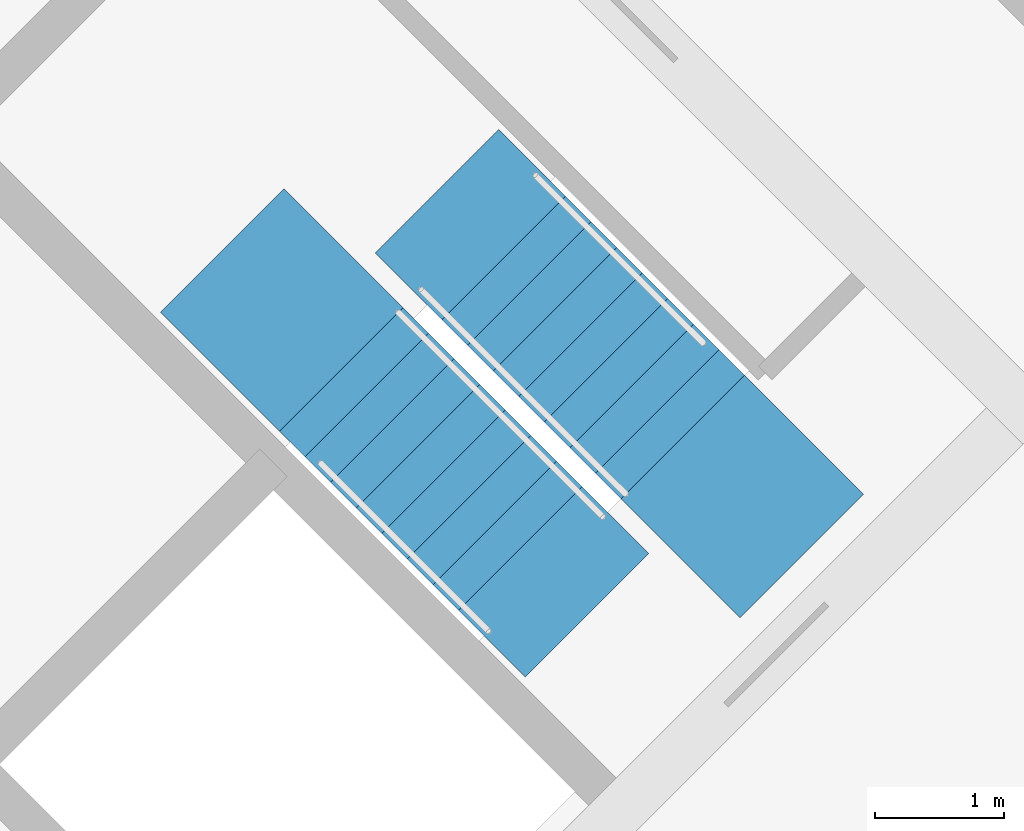
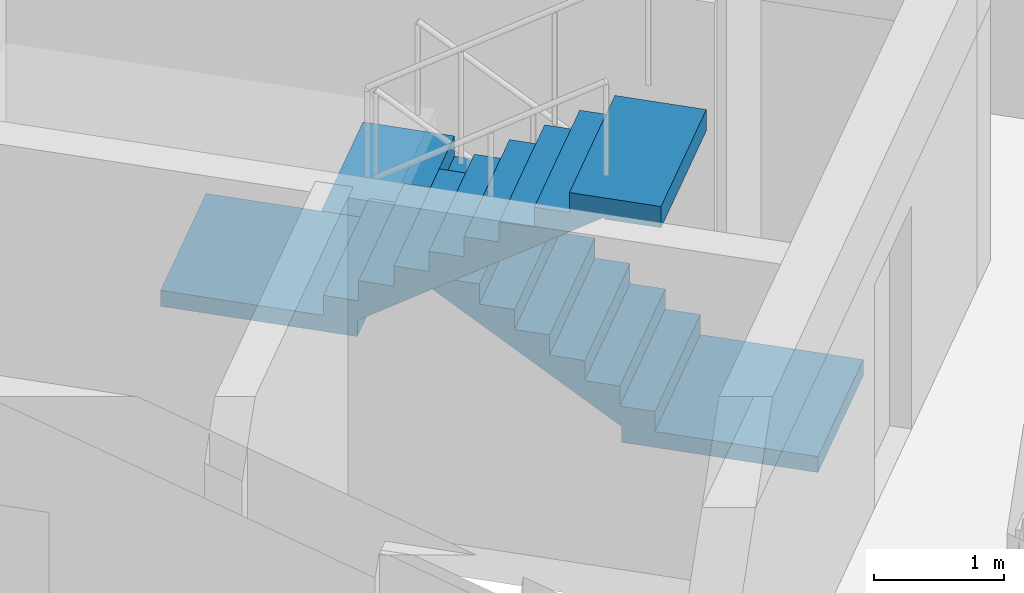
# One storey, part 9 of 12: 2 stair flights, 1 element without a shape of its own.
"""IFC4 building model written with IfcOpenShell, lengths in metres."""

import ifcopenshell
import ifcopenshell.guid

model = None  # the IFC model being written
_history = None  # IfcOwnerHistory: only IFC2X3 demands one
_inside = {}  # id of a spatial element -> (the spatial element, [elements in it])
_under = {}  # id of a project, library or spatial element -> (it, [spatial elements below it])
_declared = {}  # id of a project -> (the project, [libraries it declares])
_typed = {}  # id of a type object -> (the type object, [elements of that type])
_made_of = {}  # id of a material, layer set ... -> (it, [elements and type objects made of it])


def new_model(schema):
    """Start an empty IFC model of exactly this schema.

    Asked for "IFC4X3", IfcOpenShell would pick the latest addendum, in which some entities
    have other attributes; the version numbers below select the first issue.
    IFC2X3 requires an IfcOwnerHistory on every rooted entity: one is made here for all.
    """
    global model, _history
    if schema == "IFC4X3":
        model = ifcopenshell.file(schema_version=(4, 3, 0, 0))
    else:
        model = ifcopenshell.file(schema=schema)
    _inside.clear()
    _under.clear()
    _declared.clear()
    _typed.clear()
    _made_of.clear()
    _history = None
    if model.schema == "IFC2X3":
        org = make("IfcOrganization", Name="unknown")
        user = make(
            "IfcPersonAndOrganization",
            ThePerson=make("IfcPerson", FamilyName="unknown"),
            TheOrganization=org,
        )
        app = make(
            "IfcApplication",
            ApplicationDeveloper=org,
            Version="unknown",
            ApplicationFullName="unknown",
            ApplicationIdentifier="unknown",
        )
        _history = make(
            "IfcOwnerHistory",
            OwningUser=user,
            OwningApplication=app,
            ChangeAction="ADDED",
            CreationDate=0,
        )
    return model


def make(cls, **values):
    """One entity of the class cls with the attributes given. An attribute that is None is left unset."""
    return model.create_entity(
        cls, **{name: value for name, value in values.items() if value is not None}
    )


def rooted(cls, **values):
    """An entity with a GlobalId (a new one), such as an element, a storey or a relation."""
    return make(cls, GlobalId=ifcopenshell.guid.new(), OwnerHistory=_history, **values)


def si_unit(unit_type, name, prefix=None):
    """IfcSIUnit, for example si_unit("LENGTHUNIT", "METRE", prefix="MILLI")."""
    return make("IfcSIUnit", UnitType=unit_type, Prefix=prefix, Name=name)


def assignment(units):
    """IfcUnitAssignment: the units of a project."""
    return None if units is None else make("IfcUnitAssignment", Units=units)


def point(xyz):
    """IfcCartesianPoint."""
    return None if xyz is None else make("IfcCartesianPoint", Coordinates=xyz)


def direction(xyz):
    """IfcDirection."""
    return None if xyz is None else make("IfcDirection", DirectionRatios=xyz)


def frame(location, z_axis=None, x_axis=None):
    """IfcAxis2Placement3D, a coordinate frame: its origin and axes. An axis left out is left unset."""
    return make(
        "IfcAxis2Placement3D",
        Location=point(location),
        Axis=direction(z_axis),
        RefDirection=direction(x_axis),
    )


def origin():
    """The frame at (0, 0, 0) with its axes left unset."""
    return frame((0.0, 0.0, 0.0))


def place(relative_to, where):
    """IfcLocalPlacement: puts the frame where relative to a parent placement (None: the world)."""
    return make(
        "IfcLocalPlacement", PlacementRelTo=relative_to, RelativePlacement=where
    )


def context(
    kind, dimensions, precision=None, world=None, true_north=None, identifier=None
):
    """IfcGeometricRepresentationContext, for example the 3D "Model" context."""
    return make(
        "IfcGeometricRepresentationContext",
        ContextIdentifier=identifier,
        ContextType=kind,
        CoordinateSpaceDimension=dimensions,
        Precision=precision,
        WorldCoordinateSystem=world,
        TrueNorth=true_north,
    )


def subcontext(parent, identifier, kind, view, scale=None):
    """IfcGeometricRepresentationSubContext, for example "Body" below "Model"."""
    return make(
        "IfcGeometricRepresentationSubContext",
        ContextIdentifier=identifier,
        ContextType=kind,
        ParentContext=parent,
        TargetScale=scale,
        TargetView=view,
    )


def project(units=None, contexts=None):
    """IfcProject with its units and contexts."""
    return rooted(
        "IfcProject",
        Name="project",
        RepresentationContexts=contexts,
        UnitsInContext=assignment(units),
    )


def spatial(cls, under=None, at=None, **own):
    """A site, building, storey or space (cls), placed at a placement, below another one or the project."""
    s = rooted(cls, ObjectPlacement=at, **own)
    if under is not None:
        _under.setdefault(under.id(), (under, []))[1].append(s)
    return s


def polyline(points):
    """IfcPolyline through the points."""
    return make("IfcPolyline", Points=[point(p) for p in points])


def outline(outer, holes=None, kind="AREA"):
    """IfcArbitraryClosedProfileDef: a profile drawn as a closed curve; with holes, ...WithVoids."""
    if holes is None:
        return make("IfcArbitraryClosedProfileDef", ProfileType=kind, OuterCurve=outer)
    return make(
        "IfcArbitraryProfileDefWithVoids",
        ProfileType=kind,
        OuterCurve=outer,
        InnerCurves=holes,
    )


def extrude(swept, where, along, depth):
    """IfcExtrudedAreaSolid: the profile swept, set in the frame where, extruded along a direction by depth."""
    return make(
        "IfcExtrudedAreaSolid",
        SweptArea=swept,
        Position=where,
        ExtrudedDirection=direction(along),
        Depth=depth,
    )


def shape(context_of_items, identifier, shape_type, items):
    """IfcShapeRepresentation: the items that make up one representation, for example the "Body"."""
    return make(
        "IfcShapeRepresentation",
        ContextOfItems=context_of_items,
        RepresentationIdentifier=identifier,
        RepresentationType=shape_type,
        Items=items,
    )


def material(Name=None, Category=None):
    """IfcMaterial."""
    return make("IfcMaterial", Name=Name, Category=Category)


def made_of(thing, what):
    """Note that an element or type object is made of a material, layer set ...; save() writes the relation."""
    if what is not None:
        _made_of.setdefault(what.id(), (what, []))[1].append(thing)
    return thing


def type_object(cls, material=None, **own):
    """A type object (cls), such as IfcWallType, which elements share."""
    return made_of(rooted(cls, **own), material)


def element(
    cls,
    number,
    at=None,
    inside=None,
    cuts=None,
    type_object=None,
    material=None,
    context=None,
    identifier="Body",
    shape_type=None,
    held_by="IfcProductDefinitionShape",
    body=None,
    shapes=None,
    **own,
):
    """One element of the class cls, such as IfcWall. Its Tag is "e" and its number.

    at: its placement. inside: the storey or other place that contains it. cuts: it is an
    opening in that element (IfcRelVoidsElement). A single representation is given by context,
    identifier, shape_type and body (its items); several are given by shapes. held_by: the class
    of the entity that holds the representations. save() writes the other relations.
    """
    e = rooted(cls, Tag="e%d" % number, ObjectPlacement=at, **own)
    if body is not None:
        shapes = [shape(context, identifier, shape_type, body)]
    if shapes is not None:
        e.Representation = make(held_by, Representations=shapes)
    if inside is not None:
        _inside.setdefault(inside.id(), (inside, []))[1].append(e)
    if cuts is not None:
        rooted(
            "IfcRelVoidsElement", RelatingBuildingElement=cuts, RelatedOpeningElement=e
        )
    if type_object is not None:
        _typed.setdefault(type_object.id(), (type_object, []))[1].append(e)
    return made_of(e, material)


def aggregate(whole, parts):
    """IfcRelAggregates: a whole, such as a stair, and the parts it consists of."""
    return rooted("IfcRelAggregates", RelatingObject=whole, RelatedObjects=parts)


def save(model, path):
    """Write the relations noted so far, then the file.

    IfcRelAggregates (storeys below a building ...), IfcRelContainedInSpatialStructure (elements
    in a storey), IfcRelDefinesByType, IfcRelAssociatesMaterial and IfcRelDeclares: one each for
    every whole, place, type object, material and project.
    """
    for whole, parts in _under.values():
        aggregate(whole, parts)
    for where, things in _inside.values():
        rooted(
            "IfcRelContainedInSpatialStructure",
            RelatedElements=things,
            RelatingStructure=where,
        )
    for kind, things in _typed.values():
        rooted("IfcRelDefinesByType", RelatedObjects=things, RelatingType=kind)
    for what, things in _made_of.values():
        rooted("IfcRelAssociatesMaterial", RelatedObjects=things, RelatingMaterial=what)
    for by, libraries in _declared.values():
        rooted("IfcRelDeclares", RelatingContext=by, RelatedDefinitions=libraries)
    model.write(path)


model = new_model("IFC4")

# Units and contexts
model_context = context("Model", 3, precision=1e-05, world=origin(), true_north=direction((0.0, 1.0)))
body_context = subcontext(model_context, "Body", "Model", "MODEL_VIEW")
ifc_project = project(units=[si_unit("LENGTHUNIT", "METRE"), si_unit("AREAUNIT", "SQUARE_METRE"), si_unit("VOLUMEUNIT", "CUBIC_METRE"), si_unit("PLANEANGLEUNIT", "RADIAN"), si_unit("MASSUNIT", "GRAM", prefix="KILO")], contexts=[model_context])

# Site, building, storey
site_placement = place(None, origin())
site = spatial("IfcSite", under=ifc_project, at=site_placement, CompositionType="ELEMENT")
building_placement = place(site_placement, origin())
building = spatial("IfcBuilding", under=site, at=building_placement, Name="Windrow Commons", CompositionType="ELEMENT")
storey_placement = place(building_placement, frame((0.0, 0.0, 274.4)))
storey = spatial("IfcBuildingStorey", under=building, at=storey_placement, Name="L75", CompositionType="ELEMENT", Elevation=274.4)

# Stair, stair flights
ifc_material_1 = material(Name="Concrete C40/50", Category="concrete")
stair_type = type_object("IfcStairType", Name="Core stair", PredefinedType="HALF_TURN_STAIR", material=ifc_material_1)
stair_placement = place(storey_placement, origin())
stair = element("IfcStair", 1, at=stair_placement, inside=storey, type_object=stair_type, Name="L75 Exit stair B2 core B", PredefinedType="HALF_TURN_STAIR")
ifc_material_2 = material(Name="Concrete C40/50", Category="concrete")
stair_flight_type = type_object("IfcStairFlightType", Name="Core stair flight", PredefinedType="STRAIGHT", material=ifc_material_2)
stair_flight_1_placement = place(storey_placement, frame((94.6715, 48.8635, 0.0), z_axis=(0.0, 0.0, 1.0), x_axis=(-0.7071067812, 0.7071067812, 0.0)))
stair_flight_1 = element("IfcStairFlight", 2, at=stair_flight_1_placement, type_object=stair_flight_type, Name="ST-B2 flight 1", NumberOfRisers=9, NumberOfTreads=8, PredefinedType="STRAIGHT", RiserHeight=0.188888889, TreadLength=0.28, context=body_context, shape_type="SweptSolid", body=[
    extrude(outline(polyline([(-1.3, -0.15), (-1.3, 0.0), (0.0, 0.0), (0.0, 0.1889), (0.28, 0.1889), (0.28, 0.3778), (0.56, 0.3778), (0.56, 0.5667), (0.84, 0.5667), (0.84, 0.7556), (1.12, 0.7556), (1.12, 0.9444), (1.4, 0.9444), (1.4, 1.1333), (1.68, 1.1333), (1.68, 1.3222), (1.96, 1.3222), (1.96, 1.5111), (2.24, 1.5111), (2.69, 1.5111), (2.69, 1.3111), (2.24, 1.3111), (2.24, 1.3302), (0.2682, 0.0), (0.2682, -0.15), (-1.3, -0.15)])), frame((0.0, 0.675, 0.0), z_axis=(0.0, -1.0, 0.0), x_axis=(1.0, 0.0, 0.0)), (0.0, 0.0, 1.0), 1.35),
])
stair_flight_2_placement = place(storey_placement, frame((92.0269, 49.3867, 1.7), z_axis=(0.0, 0.0, 1.0), x_axis=(0.7071067812, -0.7071067812, 0.0)))
stair_flight_2 = element("IfcStairFlight", 3, at=stair_flight_2_placement, type_object=stair_flight_type, Name="ST-B2 flight 2", NumberOfRisers=9, NumberOfTreads=8, PredefinedType="STRAIGHT", RiserHeight=0.188888889, TreadLength=0.28, context=body_context, shape_type="SweptSolid", body=[
    extrude(outline(polyline([(-1.3, -0.15), (-1.3, 0.0), (0.0, 0.0), (0.0, 0.1889), (0.28, 0.1889), (0.28, 0.3778), (0.56, 0.3778), (0.56, 0.5667), (0.84, 0.5667), (0.84, 0.7556), (1.12, 0.7556), (1.12, 0.9444), (1.4, 0.9444), (1.4, 1.1333), (1.68, 1.1333), (1.68, 1.3222), (1.96, 1.3222), (1.96, 1.5111), (2.24, 1.5111), (2.69, 1.5111), (2.69, 1.3111), (2.24, 1.3111), (2.24, 1.3302), (0.2682, 0.0), (0.2682, -0.15), (-1.3, -0.15)])), frame((0.0, 0.675, 0.0), z_axis=(0.0, -1.0, 0.0), x_axis=(1.0, 0.0, 0.0)), (0.0, 0.0, 1.0), 1.35),
])
aggregate(stair, [stair_flight_1, stair_flight_2])

save(model, "model.ifc")
